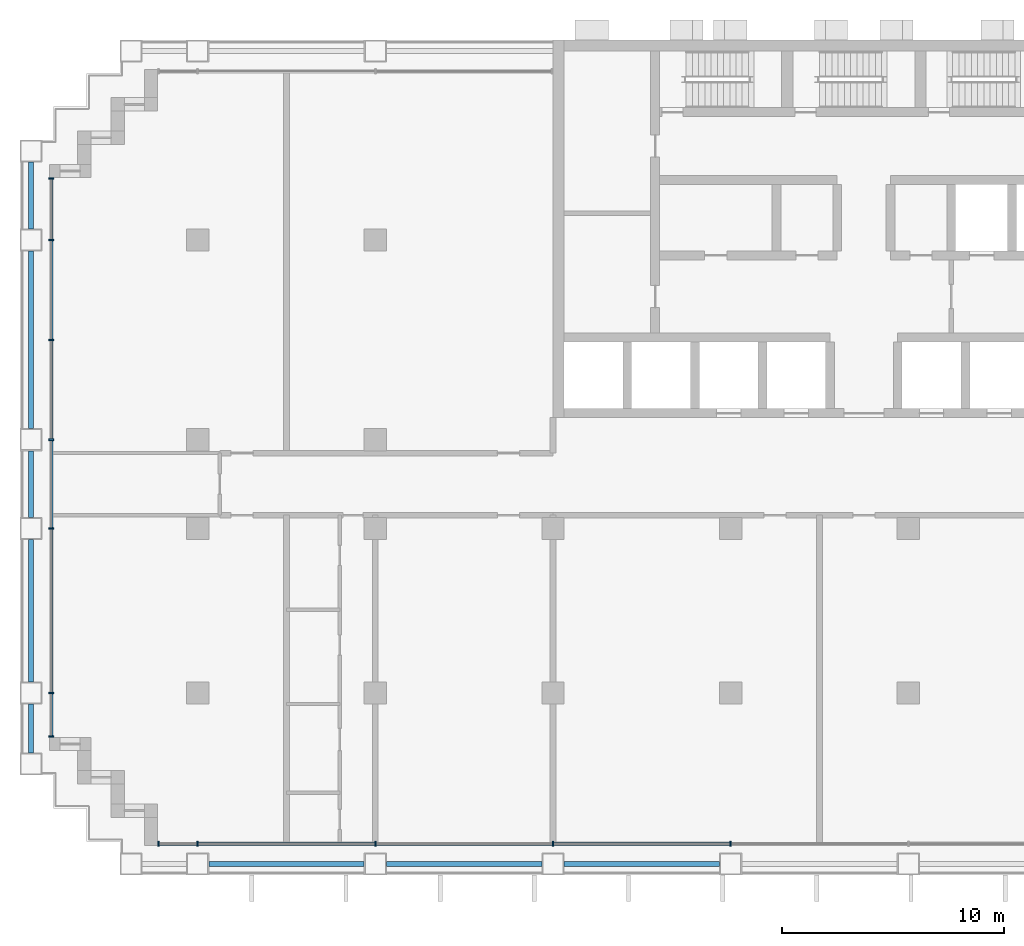
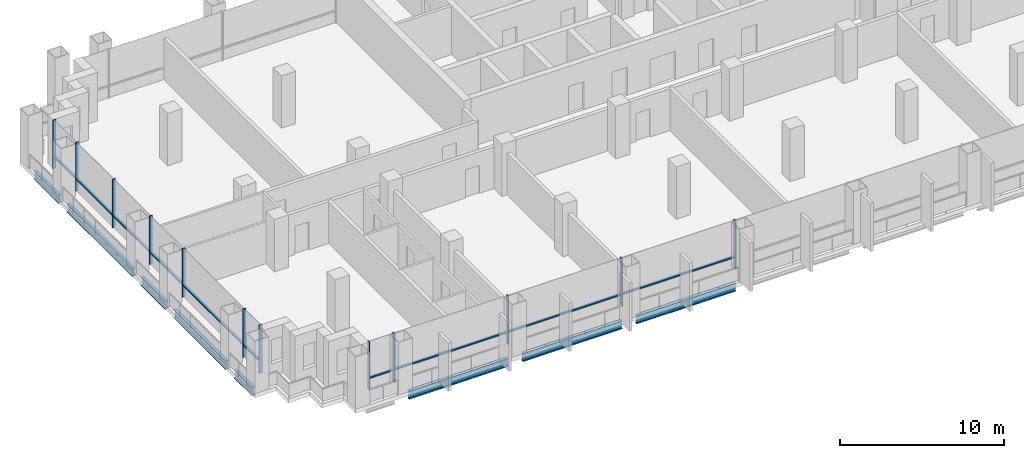
# One storey, part 2 of 13: 22 members, 8 beams, 2 elements without a shape of their own.
"""IFC4 building model written with IfcOpenShell, lengths in metres."""

import ifcopenshell
import ifcopenshell.guid

model = None  # the IFC model being written
_history = None  # IfcOwnerHistory: only IFC2X3 demands one
_inside = {}  # id of a spatial element -> (the spatial element, [elements in it])
_under = {}  # id of a project, library or spatial element -> (it, [spatial elements below it])
_declared = {}  # id of a project -> (the project, [libraries it declares])
_typed = {}  # id of a type object -> (the type object, [elements of that type])
_made_of = {}  # id of a material, layer set ... -> (it, [elements and type objects made of it])


def new_model(schema):
    """Start an empty IFC model of exactly this schema.

    Asked for "IFC4X3", IfcOpenShell would pick the latest addendum, in which some entities
    have other attributes; the version numbers below select the first issue.
    IFC2X3 requires an IfcOwnerHistory on every rooted entity: one is made here for all.
    """
    global model, _history
    if schema == "IFC4X3":
        model = ifcopenshell.file(schema_version=(4, 3, 0, 0))
    else:
        model = ifcopenshell.file(schema=schema)
    _inside.clear()
    _under.clear()
    _declared.clear()
    _typed.clear()
    _made_of.clear()
    _history = None
    if model.schema == "IFC2X3":
        org = make("IfcOrganization", Name="unknown")
        user = make(
            "IfcPersonAndOrganization",
            ThePerson=make("IfcPerson", FamilyName="unknown"),
            TheOrganization=org,
        )
        app = make(
            "IfcApplication",
            ApplicationDeveloper=org,
            Version="unknown",
            ApplicationFullName="unknown",
            ApplicationIdentifier="unknown",
        )
        _history = make(
            "IfcOwnerHistory",
            OwningUser=user,
            OwningApplication=app,
            ChangeAction="ADDED",
            CreationDate=0,
        )
    return model


def make(cls, **values):
    """One entity of the class cls with the attributes given. An attribute that is None is left unset."""
    return model.create_entity(
        cls, **{name: value for name, value in values.items() if value is not None}
    )


def rooted(cls, **values):
    """An entity with a GlobalId (a new one), such as an element, a storey or a relation."""
    return make(cls, GlobalId=ifcopenshell.guid.new(), OwnerHistory=_history, **values)


def si_unit(unit_type, name, prefix=None):
    """IfcSIUnit, for example si_unit("LENGTHUNIT", "METRE", prefix="MILLI")."""
    return make("IfcSIUnit", UnitType=unit_type, Prefix=prefix, Name=name)


def assignment(units):
    """IfcUnitAssignment: the units of a project."""
    return None if units is None else make("IfcUnitAssignment", Units=units)


def point(xyz):
    """IfcCartesianPoint."""
    return None if xyz is None else make("IfcCartesianPoint", Coordinates=xyz)


def direction(xyz):
    """IfcDirection."""
    return None if xyz is None else make("IfcDirection", DirectionRatios=xyz)


def frame(location, z_axis=None, x_axis=None):
    """IfcAxis2Placement3D, a coordinate frame: its origin and axes. An axis left out is left unset."""
    return make(
        "IfcAxis2Placement3D",
        Location=point(location),
        Axis=direction(z_axis),
        RefDirection=direction(x_axis),
    )


def frame_2d(location, x_axis=None):
    """IfcAxis2Placement2D, a coordinate frame in the plane: its origin and x axis."""
    return make(
        "IfcAxis2Placement2D", Location=point(location), RefDirection=direction(x_axis)
    )


def origin():
    """The frame at (0, 0, 0) with its axes left unset."""
    return frame((0.0, 0.0, 0.0))


def origin_2d():
    """The frame at (0, 0) in the plane with its x axis left unset."""
    return frame_2d((0.0, 0.0))


def place(relative_to, where):
    """IfcLocalPlacement: puts the frame where relative to a parent placement (None: the world)."""
    return make(
        "IfcLocalPlacement", PlacementRelTo=relative_to, RelativePlacement=where
    )


def context(
    kind, dimensions, precision=None, world=None, true_north=None, identifier=None
):
    """IfcGeometricRepresentationContext, for example the 3D "Model" context."""
    return make(
        "IfcGeometricRepresentationContext",
        ContextIdentifier=identifier,
        ContextType=kind,
        CoordinateSpaceDimension=dimensions,
        Precision=precision,
        WorldCoordinateSystem=world,
        TrueNorth=true_north,
    )


def subcontext(parent, identifier, kind, view, scale=None):
    """IfcGeometricRepresentationSubContext, for example "Body" below "Model"."""
    return make(
        "IfcGeometricRepresentationSubContext",
        ContextIdentifier=identifier,
        ContextType=kind,
        ParentContext=parent,
        TargetScale=scale,
        TargetView=view,
    )


def project(units=None, contexts=None):
    """IfcProject with its units and contexts."""
    return rooted(
        "IfcProject",
        Name="project",
        RepresentationContexts=contexts,
        UnitsInContext=assignment(units),
    )


def spatial(cls, under=None, at=None, **own):
    """A site, building, storey or space (cls), placed at a placement, below another one or the project."""
    s = rooted(cls, ObjectPlacement=at, **own)
    if under is not None:
        _under.setdefault(under.id(), (under, []))[1].append(s)
    return s


def profile(cls, at=None, kind="AREA", **sizes):
    """A parametric profile (cls). Its sizes go by their IFC names, for example OverallWidth=200.0."""
    return make(cls, ProfileType=kind, Position=at, **sizes)


def rectangle(**sizes):
    """IfcRectangleProfileDef."""
    return profile("IfcRectangleProfileDef", **sizes)


def i_section(**sizes):
    """IfcIShapeProfileDef."""
    return profile("IfcIShapeProfileDef", **sizes)


def extrude(swept, where, along, depth):
    """IfcExtrudedAreaSolid: the profile swept, set in the frame where, extruded along a direction by depth."""
    return make(
        "IfcExtrudedAreaSolid",
        SweptArea=swept,
        Position=where,
        ExtrudedDirection=direction(along),
        Depth=depth,
    )


def shape(context_of_items, identifier, shape_type, items):
    """IfcShapeRepresentation: the items that make up one representation, for example the "Body"."""
    return make(
        "IfcShapeRepresentation",
        ContextOfItems=context_of_items,
        RepresentationIdentifier=identifier,
        RepresentationType=shape_type,
        Items=items,
    )


def material(Name=None, Category=None):
    """IfcMaterial."""
    return make("IfcMaterial", Name=Name, Category=Category)


def material_profile(
    of_material, cross_section, Name=None, Category=None, Priority=None
):
    """IfcMaterialProfile: a cross section and its material."""
    return make(
        "IfcMaterialProfile",
        Name=Name,
        Material=of_material,
        Profile=cross_section,
        Priority=Priority,
        Category=Category,
    )


def profile_set(profiles, Name=None, composite=None):
    """IfcMaterialProfileSet."""
    return make(
        "IfcMaterialProfileSet",
        Name=Name,
        MaterialProfiles=profiles,
        CompositeProfile=composite,
    )


def made_of(thing, what):
    """Note that an element or type object is made of a material, layer set ...; save() writes the relation."""
    if what is not None:
        _made_of.setdefault(what.id(), (what, []))[1].append(thing)
    return thing


def type_object(cls, material=None, **own):
    """A type object (cls), such as IfcWallType, which elements share."""
    return made_of(rooted(cls, **own), material)


def element(
    cls,
    number,
    at=None,
    inside=None,
    cuts=None,
    type_object=None,
    material=None,
    context=None,
    identifier="Body",
    shape_type=None,
    held_by="IfcProductDefinitionShape",
    body=None,
    shapes=None,
    **own,
):
    """One element of the class cls, such as IfcWall. Its Tag is "e" and its number.

    at: its placement. inside: the storey or other place that contains it. cuts: it is an
    opening in that element (IfcRelVoidsElement). A single representation is given by context,
    identifier, shape_type and body (its items); several are given by shapes. held_by: the class
    of the entity that holds the representations. save() writes the other relations.
    """
    e = rooted(cls, Tag="e%d" % number, ObjectPlacement=at, **own)
    if body is not None:
        shapes = [shape(context, identifier, shape_type, body)]
    if shapes is not None:
        e.Representation = make(held_by, Representations=shapes)
    if inside is not None:
        _inside.setdefault(inside.id(), (inside, []))[1].append(e)
    if cuts is not None:
        rooted(
            "IfcRelVoidsElement", RelatingBuildingElement=cuts, RelatedOpeningElement=e
        )
    if type_object is not None:
        _typed.setdefault(type_object.id(), (type_object, []))[1].append(e)
    return made_of(e, material)


def aggregate(whole, parts):
    """IfcRelAggregates: a whole, such as a stair, and the parts it consists of."""
    return rooted("IfcRelAggregates", RelatingObject=whole, RelatedObjects=parts)


def save(model, path):
    """Write the relations noted so far, then the file.

    IfcRelAggregates (storeys below a building ...), IfcRelContainedInSpatialStructure (elements
    in a storey), IfcRelDefinesByType, IfcRelAssociatesMaterial and IfcRelDeclares: one each for
    every whole, place, type object, material and project.
    """
    for whole, parts in _under.values():
        aggregate(whole, parts)
    for where, things in _inside.values():
        rooted(
            "IfcRelContainedInSpatialStructure",
            RelatedElements=things,
            RelatingStructure=where,
        )
    for kind, things in _typed.values():
        rooted("IfcRelDefinesByType", RelatedObjects=things, RelatingType=kind)
    for what, things in _made_of.values():
        rooted("IfcRelAssociatesMaterial", RelatedObjects=things, RelatingMaterial=what)
    for by, libraries in _declared.values():
        rooted("IfcRelDeclares", RelatingContext=by, RelatedDefinitions=libraries)
    model.write(path)


model = new_model("IFC4")

# Units and contexts
model_context = context("Model", 3, precision=1e-05, world=origin(), true_north=direction((0.0, 1.0)))
body_context = subcontext(model_context, "Body", "Model", "MODEL_VIEW")
ifc_project = project(units=[si_unit("LENGTHUNIT", "METRE"), si_unit("AREAUNIT", "SQUARE_METRE"), si_unit("VOLUMEUNIT", "CUBIC_METRE"), si_unit("PLANEANGLEUNIT", "RADIAN"), si_unit("MASSUNIT", "GRAM", prefix="KILO")], contexts=[model_context])

# Site, building, storey
site_placement = place(None, origin())
site = spatial("IfcSite", under=ifc_project, at=site_placement, CompositionType="ELEMENT")
building_placement = place(site_placement, origin())
building = spatial("IfcBuilding", under=site, at=building_placement, Name="Vidyagriha Tower", CompositionType="ELEMENT")
storey_placement = place(building_placement, frame((0.0, 0.0, 33.800048828125)))
storey = spatial("IfcBuildingStorey", under=building, at=storey_placement, Name="L08", CompositionType="ELEMENT", Elevation=33.800048828125)

# Beams
ifc_material_1 = material(Name="Steel ASTM A992 Grade 50", Category="steel")
ifc_material_profile_1 = material_profile(ifc_material_1, i_section(OverallWidth=0.228271484375, OverallDepth=0.607177734375, WebThickness=0.01123046875, FlangeThickness=0.017333984375, at=origin_2d()), Name="W24X76")
ifc_profile_set_1 = profile_set([ifc_material_profile_1], Name="Steel ASTM A992 Grade 50")
beam_type = type_object("IfcBeamType", Name="Edge beam W24X76", PredefinedType="SPANDREL", material=ifc_profile_set_1)
for number, where, z_axis, x_axis, name in (
    (1, (-29.5, -17.10009765625, -0.603515625), (1.0, 0.0, 0.0), (0.0, 1.0, 0.0), "st-beam-L08-S02"),
    (2, (-21.5, -17.10009765625, -0.603515625), (1.0, 0.0, 0.0), (0.0, 1.0, 0.0), "st-beam-L08-S03"),
    (3, (-13.5, -17.10009765625, -0.603515625), (1.0, 0.0, 0.0), (0.0, 1.0, 0.0), "st-beam-L08-S04"),
):
    element("IfcBeam", number, at=place(storey_placement, frame(where, z_axis=z_axis, x_axis=x_axis)), inside=storey, type_object=beam_type, Name=name, PredefinedType="SPANDREL", context=body_context, shape_type="SweptSolid", body=[
        extrude(i_section(OverallWidth=0.228271484375, OverallDepth=0.607177734375, WebThickness=0.01123046875, FlangeThickness=0.017333984375, at=origin_2d()), origin(), (0.0, 0.0, 1.0), 7.0),
    ])
beam_1_placement = place(storey_placement, frame((-37.5, -12.10009765625, -0.603515625), z_axis=(0.0, 1.0, 0.0), x_axis=(-1.0, 0.0, 0.0)))
element("IfcBeam", 4, at=beam_1_placement, inside=storey, type_object=beam_type, Name="st-beam-L08-W10", PredefinedType="SPANDREL", context=body_context, shape_type="SweptSolid", body=[
    extrude(i_section(OverallWidth=0.228271484375, OverallDepth=0.607177734375, WebThickness=0.01123046875, FlangeThickness=0.017333984375, at=origin_2d()), origin(), (0.0, 0.0, 1.0), 2.2001953125),
])
beam_2_placement = place(storey_placement, frame((-37.5, -8.89990234375, -0.603515625), z_axis=(0.0, 1.0, 0.0), x_axis=(-1.0, 0.0, 0.0)))
element("IfcBeam", 5, at=beam_2_placement, inside=storey, type_object=beam_type, Name="st-beam-L08-W11", PredefinedType="SPANDREL", context=body_context, shape_type="SweptSolid", body=[
    extrude(i_section(OverallWidth=0.228271484375, OverallDepth=0.607177734375, WebThickness=0.01123046875, FlangeThickness=0.017333984375, at=origin_2d()), origin(), (0.0, 0.0, 1.0), 6.39990234375),
])
beam_3_placement = place(storey_placement, frame((-37.5, -1.5, -0.603515625), z_axis=(0.0, 1.0, 0.0), x_axis=(-1.0, 0.0, 0.0)))
element("IfcBeam", 6, at=beam_3_placement, inside=storey, type_object=beam_type, Name="st-beam-L08-W12", PredefinedType="SPANDREL", context=body_context, shape_type="SweptSolid", body=[
    extrude(i_section(OverallWidth=0.228271484375, OverallDepth=0.607177734375, WebThickness=0.01123046875, FlangeThickness=0.017333984375, at=origin_2d()), origin(), (0.0, 0.0, 1.0), 3.0),
])
beam_4_placement = place(storey_placement, frame((-37.5, 2.5, -0.603515625), z_axis=(0.0, 1.0, 0.0), x_axis=(-1.0, 0.0, 0.0)))
element("IfcBeam", 7, at=beam_4_placement, inside=storey, type_object=beam_type, Name="st-beam-L08-W13", PredefinedType="SPANDREL", context=body_context, shape_type="SweptSolid", body=[
    extrude(i_section(OverallWidth=0.228271484375, OverallDepth=0.607177734375, WebThickness=0.01123046875, FlangeThickness=0.017333984375, at=origin_2d()), origin(), (0.0, 0.0, 1.0), 8.0),
])
beam_5_placement = place(storey_placement, frame((-37.5, 11.5, -0.603515625), z_axis=(0.0, 1.0, 0.0), x_axis=(-1.0, 0.0, 0.0)))
element("IfcBeam", 8, at=beam_5_placement, inside=storey, type_object=beam_type, Name="st-beam-L08-W14", PredefinedType="SPANDREL", context=body_context, shape_type="SweptSolid", body=[
    extrude(i_section(OverallWidth=0.228271484375, OverallDepth=0.607177734375, WebThickness=0.01123046875, FlangeThickness=0.017333984375, at=origin_2d()), origin(), (0.0, 0.0, 1.0), 3.0),
])

# Curtain wall, members
ifc_material_2 = material(Name="Aluminium and glass curtain wall", Category="aluminium")
curtain_wall_type = type_object("IfcCurtainWallType", Name="Classroom skin unitised curtain wall", PredefinedType="USERDEFINED", material=ifc_material_2)
curtain_wall_1_placement = place(storey_placement, origin())
curtain_wall_1 = element("IfcCurtainWall", 9, at=curtain_wall_1_placement, inside=storey, type_object=curtain_wall_type, Name="CW2 classroom skin", ObjectType="UNITISED", PredefinedType="USERDEFINED")
ifc_material_3 = material(Name="Aluminium black anodised", Category="aluminium")
ifc_material_profile_2 = material_profile(ifc_material_3, rectangle(XDim=0.219970703125, YDim=0.070068359375, at=origin_2d()), Name="Mullion 70x220 black aluminium")
ifc_profile_set_2 = profile_set([ifc_material_profile_2], Name="Aluminium black anodised")
member_type_1 = type_object("IfcMemberType", Name="Mullion 70x220 black aluminium", PredefinedType="MULLION", material=ifc_profile_set_2)
member_1_placement = place(storey_placement, frame((-36.60009765625, 13.764892578125, 0.0)))
member_1 = element("IfcMember", 10, at=member_1_placement, type_object=member_type_1, Name="CW2 mullion 1", PredefinedType="MULLION", context=body_context, shape_type="SweptSolid", body=[
    extrude(rectangle(XDim=0.219970703125, YDim=0.070068359375, at=origin_2d()), origin(), (0.0, 0.0, 1.0), 3.599853515625),
])
member_2_placement = place(storey_placement, frame((-36.60009765625, 11.0, 0.0)))
member_2 = element("IfcMember", 11, at=member_2_placement, type_object=member_type_1, Name="CW2 mullion 2", PredefinedType="MULLION", context=body_context, shape_type="SweptSolid", body=[
    extrude(rectangle(XDim=0.219970703125, YDim=0.070068359375, at=origin_2d()), origin(), (0.0, 0.0, 1.0), 3.599853515625),
])
member_3_placement = place(storey_placement, frame((-36.60009765625, 6.5, 0.0)))
member_3 = element("IfcMember", 12, at=member_3_placement, type_object=member_type_1, Name="CW2 mullion 3", PredefinedType="MULLION", context=body_context, shape_type="SweptSolid", body=[
    extrude(rectangle(XDim=0.219970703125, YDim=0.070068359375, at=origin_2d()), origin(), (0.0, 0.0, 1.0), 3.599853515625),
])
member_4_placement = place(storey_placement, frame((-36.60009765625, 2.0, 0.0)))
member_4 = element("IfcMember", 13, at=member_4_placement, type_object=member_type_1, Name="CW2 mullion 4", PredefinedType="MULLION", context=body_context, shape_type="SweptSolid", body=[
    extrude(rectangle(XDim=0.219970703125, YDim=0.070068359375, at=origin_2d()), origin(), (0.0, 0.0, 1.0), 3.599853515625),
])
member_5_placement = place(storey_placement, frame((-36.60009765625, -2.0, 0.0)))
member_5 = element("IfcMember", 14, at=member_5_placement, type_object=member_type_1, Name="CW2 mullion 5", PredefinedType="MULLION", context=body_context, shape_type="SweptSolid", body=[
    extrude(rectangle(XDim=0.219970703125, YDim=0.070068359375, at=origin_2d()), origin(), (0.0, 0.0, 1.0), 3.599853515625),
])
member_6_placement = place(storey_placement, frame((-36.60009765625, -9.39990234375, 0.0)))
member_6 = element("IfcMember", 15, at=member_6_placement, type_object=member_type_1, Name="CW2 mullion 6", PredefinedType="MULLION", context=body_context, shape_type="SweptSolid", body=[
    extrude(rectangle(XDim=0.219970703125, YDim=0.070068359375, at=origin_2d()), origin(), (0.0, 0.0, 1.0), 3.599853515625),
])
member_7_placement = place(storey_placement, frame((-36.60009765625, -11.364990234375, 0.0)))
member_7 = element("IfcMember", 16, at=member_7_placement, type_object=member_type_1, Name="CW2 mullion 7", PredefinedType="MULLION", context=body_context, shape_type="SweptSolid", body=[
    extrude(rectangle(XDim=0.219970703125, YDim=0.070068359375, at=origin_2d()), origin(), (0.0, 0.0, 1.0), 3.599853515625),
])

curtain_wall_2_placement = place(storey_placement, origin())
curtain_wall_2 = element("IfcCurtainWall", 17, at=curtain_wall_2_placement, inside=storey, type_object=curtain_wall_type, Name="CW2 classroom skin", ObjectType="UNITISED", PredefinedType="USERDEFINED")
member_8_placement = place(storey_placement, frame((-31.764892578125, -16.199951171875, 0.0), z_axis=(0.0, 0.0, 1.0), x_axis=(0.0, 1.0, 0.0)))
member_8 = element("IfcMember", 18, at=member_8_placement, type_object=member_type_1, Name="CW2 mullion 1", PredefinedType="MULLION", context=body_context, shape_type="SweptSolid", body=[
    extrude(rectangle(XDim=0.219970703125, YDim=0.070068359375, at=origin_2d()), origin(), (0.0, 0.0, 1.0), 3.599853515625),
])
member_9_placement = place(storey_placement, frame((-30.0, -16.199951171875, 0.0), z_axis=(0.0, 0.0, 1.0), x_axis=(0.0, 1.0, 0.0)))
member_9 = element("IfcMember", 19, at=member_9_placement, type_object=member_type_1, Name="CW2 mullion 2", PredefinedType="MULLION", context=body_context, shape_type="SweptSolid", body=[
    extrude(rectangle(XDim=0.219970703125, YDim=0.070068359375, at=origin_2d()), origin(), (0.0, 0.0, 1.0), 3.599853515625),
])
member_10_placement = place(storey_placement, frame((-22.0, -16.199951171875, 0.0), z_axis=(0.0, 0.0, 1.0), x_axis=(0.0, 1.0, 0.0)))
member_10 = element("IfcMember", 20, at=member_10_placement, type_object=member_type_1, Name="CW2 mullion 3", PredefinedType="MULLION", context=body_context, shape_type="SweptSolid", body=[
    extrude(rectangle(XDim=0.219970703125, YDim=0.070068359375, at=origin_2d()), origin(), (0.0, 0.0, 1.0), 3.599853515625),
])
member_11_placement = place(storey_placement, frame((-14.0, -16.199951171875, 0.0), z_axis=(0.0, 0.0, 1.0), x_axis=(0.0, 1.0, 0.0)))
member_11 = element("IfcMember", 21, at=member_11_placement, type_object=member_type_1, Name="CW2 mullion 4", PredefinedType="MULLION", context=body_context, shape_type="SweptSolid", body=[
    extrude(rectangle(XDim=0.219970703125, YDim=0.070068359375, at=origin_2d()), origin(), (0.0, 0.0, 1.0), 3.599853515625),
])
member_12_placement = place(storey_placement, frame((-6.0, -16.199951171875, 0.0), z_axis=(0.0, 0.0, 1.0), x_axis=(0.0, 1.0, 0.0)))
member_12 = element("IfcMember", 22, at=member_12_placement, type_object=member_type_1, Name="CW2 mullion 5", PredefinedType="MULLION", context=body_context, shape_type="SweptSolid", body=[
    extrude(rectangle(XDim=0.219970703125, YDim=0.070068359375, at=origin_2d()), origin(), (0.0, 0.0, 1.0), 3.599853515625),
])

# Member
ifc_material_4 = material(Name="Aluminium black anodised", Category="aluminium")
ifc_material_profile_3 = material_profile(ifc_material_4, rectangle(XDim=0.159912109375, YDim=0.10009765625, at=origin_2d()), Name="Transom 100x160 black aluminium")
ifc_profile_set_3 = profile_set([ifc_material_profile_3], Name="Aluminium black anodised")
member_type_2 = type_object("IfcMemberType", Name="Transom 100x160 black aluminium", PredefinedType="USERDEFINED", material=ifc_profile_set_3)
member_13_placement = place(storey_placement, frame((-36.60009765625, 13.72998046875, 0.89990234375), z_axis=(0.0, -1.0, 0.0), x_axis=(1.0, 0.0, 0.0)))
member_13 = element("IfcMember", 23, at=member_13_placement, type_object=member_type_2, Name="CW2 transom 1.1", ObjectType="TRANSOM", PredefinedType="USERDEFINED", context=body_context, shape_type="SweptSolid", body=[
    extrude(rectangle(XDim=0.159912109375, YDim=0.10009765625, at=origin_2d()), origin(), (0.0, 0.0, 1.0), 2.695068359375),
])

member_14_placement = place(storey_placement, frame((-36.60009765625, 10.965087890625, 0.89990234375), z_axis=(0.0, -1.0, 0.0), x_axis=(1.0, 0.0, 0.0)))
member_14 = element("IfcMember", 24, at=member_14_placement, type_object=member_type_2, Name="CW2 transom 2.1", ObjectType="TRANSOM", PredefinedType="USERDEFINED", context=body_context, shape_type="SweptSolid", body=[
    extrude(rectangle(XDim=0.159912109375, YDim=0.10009765625, at=origin_2d()), origin(), (0.0, 0.0, 1.0), 4.43017578125),
])

member_15_placement = place(storey_placement, frame((-36.60009765625, 6.465087890625, 0.89990234375), z_axis=(0.0, -1.0, 0.0), x_axis=(1.0, 0.0, 0.0)))
member_15 = element("IfcMember", 25, at=member_15_placement, type_object=member_type_2, Name="CW2 transom 3.1", ObjectType="TRANSOM", PredefinedType="USERDEFINED", context=body_context, shape_type="SweptSolid", body=[
    extrude(rectangle(XDim=0.159912109375, YDim=0.10009765625, at=origin_2d()), origin(), (0.0, 0.0, 1.0), 4.43017578125),
])

member_16_placement = place(storey_placement, frame((-36.60009765625, 1.965087890625, 0.89990234375), z_axis=(0.0, -1.0, 0.0), x_axis=(1.0, 0.0, 0.0)))
member_16 = element("IfcMember", 26, at=member_16_placement, type_object=member_type_2, Name="CW2 transom 4.1", ObjectType="TRANSOM", PredefinedType="USERDEFINED", context=body_context, shape_type="SweptSolid", body=[
    extrude(rectangle(XDim=0.159912109375, YDim=0.10009765625, at=origin_2d()), origin(), (0.0, 0.0, 1.0), 3.93017578125),
])

member_17_placement = place(storey_placement, frame((-36.60009765625, -2.034912109375, 0.89990234375), z_axis=(0.0, -1.0, 0.0), x_axis=(1.0, 0.0, 0.0)))
member_17 = element("IfcMember", 27, at=member_17_placement, type_object=member_type_2, Name="CW2 transom 5.1", ObjectType="TRANSOM", PredefinedType="USERDEFINED", context=body_context, shape_type="SweptSolid", body=[
    extrude(rectangle(XDim=0.159912109375, YDim=0.10009765625, at=origin_2d()), origin(), (0.0, 0.0, 1.0), 7.330078125),
])

member_18_placement = place(storey_placement, frame((-36.60009765625, -9.43505859375, 0.89990234375), z_axis=(0.0, -1.0, 0.0), x_axis=(1.0, 0.0, 0.0)))
member_18 = element("IfcMember", 28, at=member_18_placement, type_object=member_type_2, Name="CW2 transom 6.1", ObjectType="TRANSOM", PredefinedType="USERDEFINED", context=body_context, shape_type="SweptSolid", body=[
    extrude(rectangle(XDim=0.159912109375, YDim=0.10009765625, at=origin_2d()), origin(), (0.0, 0.0, 1.0), 1.89501953125),
])

aggregate(curtain_wall_1, [member_1, member_2, member_3, member_4, member_5, member_6, member_7, member_13, member_14, member_15, member_16, member_17, member_18])

member_19_placement = place(storey_placement, frame((-31.72998046875, -16.199951171875, 0.89990234375), z_axis=(1.0, 0.0, 0.0), x_axis=(0.0, 1.0, 0.0)))
member_19 = element("IfcMember", 29, at=member_19_placement, type_object=member_type_2, Name="CW2 transom 1.1", ObjectType="TRANSOM", PredefinedType="USERDEFINED", context=body_context, shape_type="SweptSolid", body=[
    extrude(rectangle(XDim=0.159912109375, YDim=0.10009765625, at=origin_2d()), origin(), (0.0, 0.0, 1.0), 1.695068359375),
])

member_20_placement = place(storey_placement, frame((-29.965087890625, -16.199951171875, 0.89990234375), z_axis=(1.0, 0.0, 0.0), x_axis=(0.0, 1.0, 0.0)))
member_20 = element("IfcMember", 30, at=member_20_placement, type_object=member_type_2, Name="CW2 transom 2.1", ObjectType="TRANSOM", PredefinedType="USERDEFINED", context=body_context, shape_type="SweptSolid", body=[
    extrude(rectangle(XDim=0.159912109375, YDim=0.10009765625, at=origin_2d()), origin(), (0.0, 0.0, 1.0), 7.93017578125),
])

member_21_placement = place(storey_placement, frame((-21.965087890625, -16.199951171875, 0.89990234375), z_axis=(1.0, 0.0, 0.0), x_axis=(0.0, 1.0, 0.0)))
member_21 = element("IfcMember", 31, at=member_21_placement, type_object=member_type_2, Name="CW2 transom 3.1", ObjectType="TRANSOM", PredefinedType="USERDEFINED", context=body_context, shape_type="SweptSolid", body=[
    extrude(rectangle(XDim=0.159912109375, YDim=0.10009765625, at=origin_2d()), origin(), (0.0, 0.0, 1.0), 7.93017578125),
])

member_22_placement = place(storey_placement, frame((-13.965087890625, -16.199951171875, 0.89990234375), z_axis=(1.0, 0.0, 0.0), x_axis=(0.0, 1.0, 0.0)))
member_22 = element("IfcMember", 32, at=member_22_placement, type_object=member_type_2, Name="CW2 transom 4.1", ObjectType="TRANSOM", PredefinedType="USERDEFINED", context=body_context, shape_type="SweptSolid", body=[
    extrude(rectangle(XDim=0.159912109375, YDim=0.10009765625, at=origin_2d()), origin(), (0.0, 0.0, 1.0), 7.93017578125),
])

aggregate(curtain_wall_2, [member_8, member_9, member_10, member_11, member_12, member_19, member_20, member_21, member_22])

save(model, "model.ifc")
